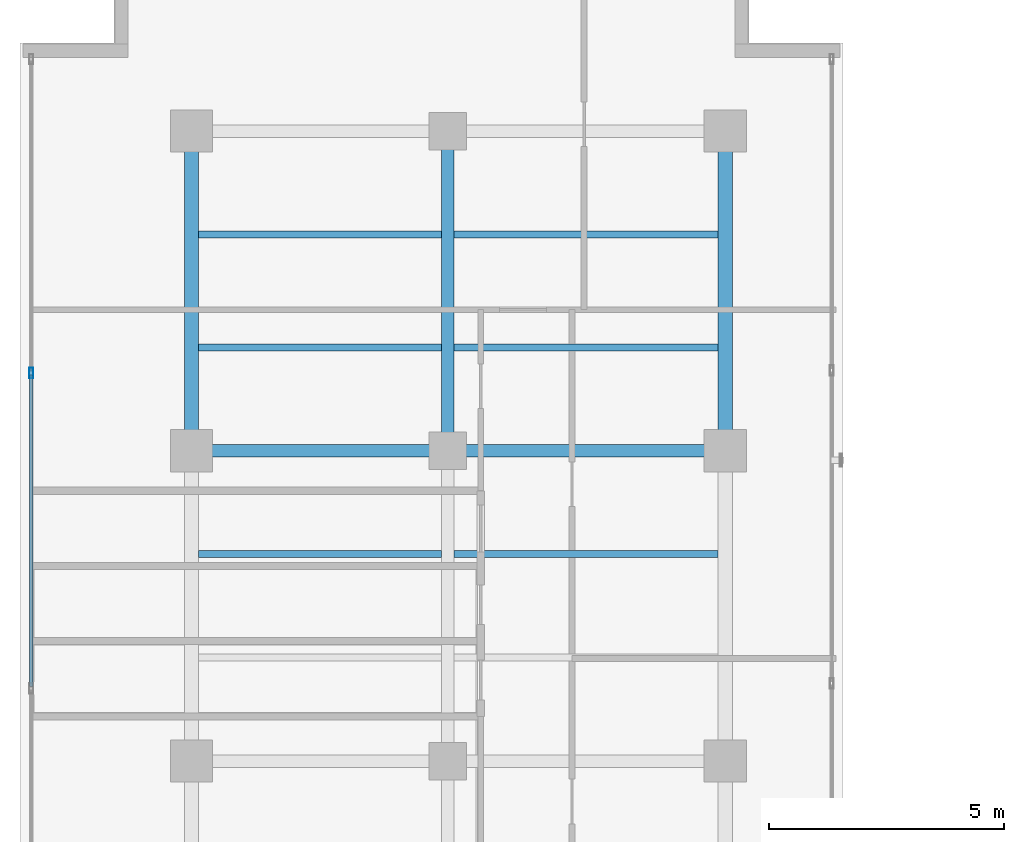
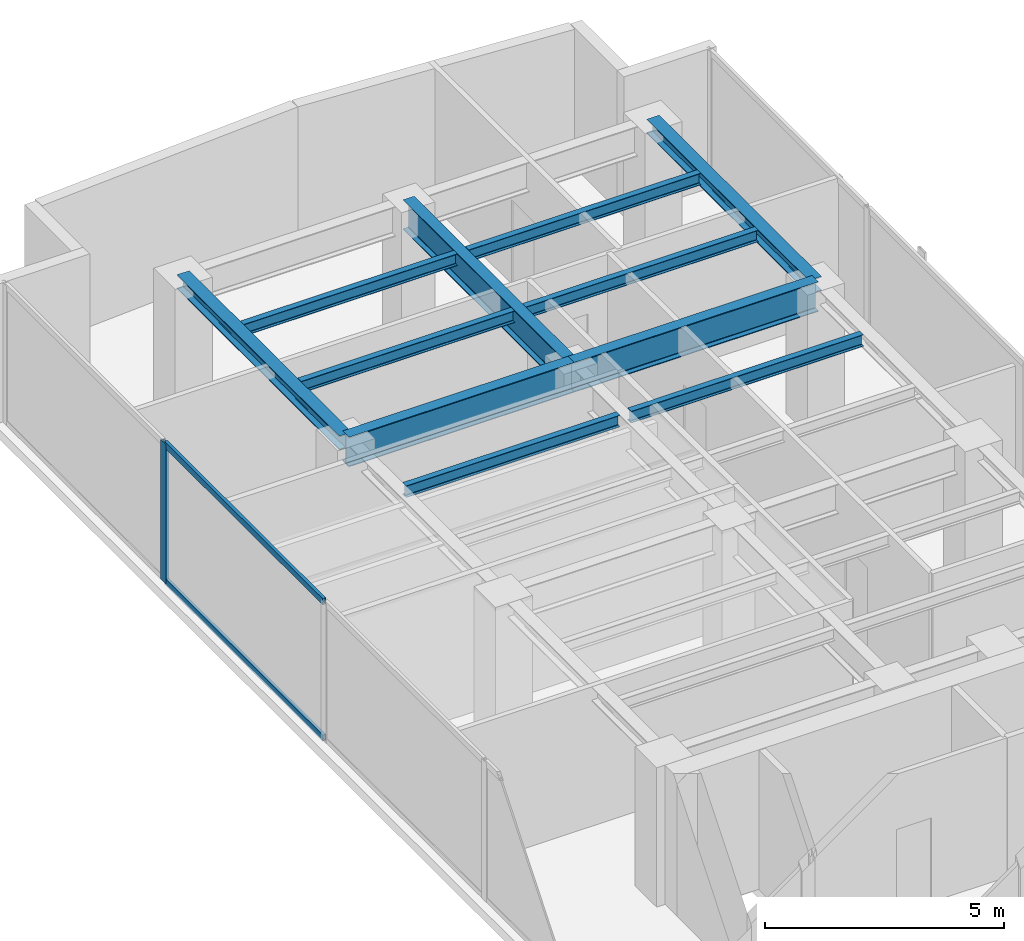
# One storey, part 13 of 23: 11 beams, 3 members, 1 element without a shape of its own.
"""IFC4 building model written with IfcOpenShell, lengths in metres."""

from ifc_helpers import new_model, si_unit, direction, frame, origin, origin_with_axes, origin_2d, place, context, subcontext, project, spatial, hollow_rectangle, i_section, extrude, source, transform, mapped, material, layer, layer_set, material_profile, profile_set, type_object, element, aggregate, save


model = new_model("IFC4")

# Units and contexts
model_context = context("Model", 3, precision=1e-05, world=origin(), true_north=direction((0.0, 1.0)))
body_context = subcontext(model_context, "Body", "Model", "MODEL_VIEW")
ifc_project = project(units=[si_unit("LENGTHUNIT", "METRE"), si_unit("AREAUNIT", "SQUARE_METRE"), si_unit("VOLUMEUNIT", "CUBIC_METRE"), si_unit("PLANEANGLEUNIT", "RADIAN"), si_unit("MASSUNIT", "GRAM", prefix="KILO")], contexts=[model_context])

# Site, building, storey
site_placement = place(None, origin())
site = spatial("IfcSite", under=ifc_project, at=site_placement, CompositionType="ELEMENT")
building_placement = place(site_placement, origin())
building = spatial("IfcBuilding", under=site, at=building_placement, Name="Kolvaren Waterfront Exchange", CompositionType="ELEMENT")
storey_placement = place(building_placement, frame((0.0, 0.0, 297.0)))
storey = spatial("IfcBuildingStorey", under=building, at=storey_placement, Name="L76", CompositionType="ELEMENT", Elevation=297.0)

# Beams
ifc_material_1 = material(Name="Steel S355", Category="steel")
ifc_material_profile_1 = material_profile(ifc_material_1, i_section(OverallWidth=0.300048828125, OverallDepth=0.360107421875, WebThickness=0.012451171875, FlangeThickness=0.0224609375, FilletRadius=0.027099609375, at=origin_2d()), Name="HEB360")
ifc_profile_set_1 = profile_set([ifc_material_profile_1], Name="Steel S355")
beam_type_1 = type_object("IfcBeamType", Name="STR-BM-HEB360", PredefinedType="SPANDREL", material=ifc_profile_set_1)
for number, where, z_axis, x_axis, name in (
    (1, (7.449951171875, 37.800048828125, 3.3798828125), (0.0, 1.0, 0.0), (-1.0, 0.0, 0.0), "L76 north-arm edge beam 3"),
    (2, (18.800048828125, 37.800048828125, 3.3798828125), (0.0, 1.0, 0.0), (-1.0, 0.0, 0.0), "L76 north-arm edge beam 3"),
):
    element("IfcBeam", number, at=place(storey_placement, frame(where, z_axis=z_axis, x_axis=x_axis)), inside=storey, type_object=beam_type_1, Name=name, PredefinedType="SPANDREL", context=body_context, shape_type="SweptSolid", body=[
        extrude(i_section(OverallWidth=0.300048828125, OverallDepth=0.360107421875, WebThickness=0.012451171875, FlangeThickness=0.0224609375, FilletRadius=0.027099609375, at=origin_2d()), origin(), (0.0, 0.0, 1.0), 6.800048828125),
    ])
ifc_material_profile_2 = material_profile(ifc_material_1, i_section(OverallWidth=0.14990234375, OverallDepth=0.300048828125, WebThickness=0.007080078125, FlangeThickness=0.0107421875, FilletRadius=0.014892578125, at=origin_2d()), Name="IPE300")
ifc_profile_set_2 = profile_set([ifc_material_profile_2], Name="Steel S355")
beam_type_2 = type_object("IfcBeamType", Name="STR-BM-IPE300", PredefinedType="JOIST", material=ifc_profile_set_2)
beam_1_placement = place(storey_placement, frame((7.60205078125, 35.60009765625, 3.409912109375), z_axis=(1.0, 0.0, 0.0), x_axis=(0.0, 1.0, 0.0)))
element("IfcBeam", 3, at=beam_1_placement, inside=storey, type_object=beam_type_2, Name="L76 north-arm composite joist 4A", PredefinedType="JOIST", context=body_context, shape_type="SweptSolid", body=[
    extrude(i_section(OverallWidth=0.14990234375, OverallDepth=0.300048828125, WebThickness=0.007080078125, FlangeThickness=0.0107421875, FilletRadius=0.014892578125, at=origin_2d()), origin(), (0.0, 0.0, 1.0), 5.162353515625),
])
beam_2_placement = place(storey_placement, frame((13.035400390625, 35.60009765625, 3.409912109375), z_axis=(1.0, 0.0, 0.0), x_axis=(0.0, 1.0, 0.0)))
element("IfcBeam", 4, at=beam_2_placement, inside=storey, type_object=beam_type_2, Name="L76 north-arm composite joist 4B", PredefinedType="JOIST", context=body_context, shape_type="SweptSolid", body=[
    extrude(i_section(OverallWidth=0.14990234375, OverallDepth=0.300048828125, WebThickness=0.007080078125, FlangeThickness=0.0107421875, FilletRadius=0.014892578125, at=origin_2d()), origin(), (0.0, 0.0, 1.0), 5.612548828125),
])
beam_3_placement = place(storey_placement, frame((7.60205078125, 40.0, 3.409912109375), z_axis=(1.0, 0.0, 0.0), x_axis=(0.0, 1.0, 0.0)))
element("IfcBeam", 5, at=beam_3_placement, inside=storey, type_object=beam_type_2, Name="L76 north-arm composite joist 5A", PredefinedType="JOIST", context=body_context, shape_type="SweptSolid", body=[
    extrude(i_section(OverallWidth=0.14990234375, OverallDepth=0.300048828125, WebThickness=0.007080078125, FlangeThickness=0.0107421875, FilletRadius=0.014892578125, at=origin_2d()), origin(), (0.0, 0.0, 1.0), 5.162353515625),
])
beam_4_placement = place(storey_placement, frame((13.035400390625, 40.0, 3.409912109375), z_axis=(1.0, 0.0, 0.0), x_axis=(0.0, 1.0, 0.0)))
element("IfcBeam", 6, at=beam_4_placement, inside=storey, type_object=beam_type_2, Name="L76 north-arm composite joist 5B", PredefinedType="JOIST", context=body_context, shape_type="SweptSolid", body=[
    extrude(i_section(OverallWidth=0.14990234375, OverallDepth=0.300048828125, WebThickness=0.007080078125, FlangeThickness=0.0107421875, FilletRadius=0.014892578125, at=origin_2d()), origin(), (0.0, 0.0, 1.0), 5.612548828125),
])
beam_5_placement = place(storey_placement, frame((7.60205078125, 42.39990234375, 3.409912109375), z_axis=(1.0, 0.0, 0.0), x_axis=(0.0, 1.0, 0.0)))
element("IfcBeam", 7, at=beam_5_placement, inside=storey, type_object=beam_type_2, Name="L76 north-arm composite joist 6A", PredefinedType="JOIST", context=body_context, shape_type="SweptSolid", body=[
    extrude(i_section(OverallWidth=0.14990234375, OverallDepth=0.300048828125, WebThickness=0.007080078125, FlangeThickness=0.0107421875, FilletRadius=0.014892578125, at=origin_2d()), origin(), (0.0, 0.0, 1.0), 5.162353515625),
])
beam_6_placement = place(storey_placement, frame((13.035400390625, 42.39990234375, 3.409912109375), z_axis=(1.0, 0.0, 0.0), x_axis=(0.0, 1.0, 0.0)))
element("IfcBeam", 8, at=beam_6_placement, inside=storey, type_object=beam_type_2, Name="L76 north-arm composite joist 6B", PredefinedType="JOIST", context=body_context, shape_type="SweptSolid", body=[
    extrude(i_section(OverallWidth=0.14990234375, OverallDepth=0.300048828125, WebThickness=0.007080078125, FlangeThickness=0.0107421875, FilletRadius=0.014892578125, at=origin_2d()), origin(), (0.0, 0.0, 1.0), 5.612548828125),
])
ifc_material_profile_3 = material_profile(ifc_material_1, i_section(OverallWidth=0.26708984375, OverallDepth=0.761962890625, WebThickness=0.014404296875, FlangeThickness=0.021484375, FilletRadius=0.01708984375, at=origin_2d()), Name="IPE750x173")
ifc_profile_set_3 = profile_set([ifc_material_profile_3], Name="Steel S355")
beam_type_3 = type_object("IfcBeamType", Name="STR-BM-IPE750", PredefinedType="BEAM", material=ifc_profile_set_3)
beam_7_placement = place(storey_placement, frame((7.449951171875, 37.800048828125, 3.178955078125), z_axis=(1.0, 0.0, 0.0), x_axis=(0.0, 1.0, 0.0)))
element("IfcBeam", 9, at=beam_7_placement, inside=storey, type_object=beam_type_3, Name="L76 north-arm girder 3A", PredefinedType="BEAM", context=body_context, shape_type="SweptSolid", body=[
    extrude(i_section(OverallWidth=0.26708984375, OverallDepth=0.761962890625, WebThickness=0.014404296875, FlangeThickness=0.021484375, FilletRadius=0.01708984375, at=origin_2d()), origin(), (0.0, 0.0, 1.0), 5.449951171875),
])
beam_8_placement = place(storey_placement, frame((12.89990234375, 37.800048828125, 3.178955078125), z_axis=(1.0, 0.0, 0.0), x_axis=(0.0, 1.0, 0.0)))
element("IfcBeam", 10, at=beam_8_placement, inside=storey, type_object=beam_type_3, Name="L76 north-arm girder 3B", PredefinedType="BEAM", context=body_context, shape_type="SweptSolid", body=[
    extrude(i_section(OverallWidth=0.26708984375, OverallDepth=0.761962890625, WebThickness=0.014404296875, FlangeThickness=0.021484375, FilletRadius=0.01708984375, at=origin_2d()), origin(), (0.0, 0.0, 1.0), 5.900146484375),
])
beam_9_placement = place(storey_placement, frame((12.89990234375, 37.800048828125, 3.178955078125), z_axis=(0.0, 1.0, 0.0), x_axis=(-1.0, 0.0, 0.0)))
element("IfcBeam", 11, at=beam_9_placement, inside=storey, type_object=beam_type_3, Name="L76 north-arm edge beam 3", PredefinedType="BEAM", context=body_context, shape_type="SweptSolid", body=[
    extrude(i_section(OverallWidth=0.26708984375, OverallDepth=0.761962890625, WebThickness=0.014404296875, FlangeThickness=0.021484375, FilletRadius=0.01708984375, at=origin_2d()), origin(), (0.0, 0.0, 1.0), 6.800048828125),
])

# Curtain wall, members
ifc_material_2 = material(Name="Anodised aluminium 6063-T6", Category="aluminium")
ifc_layer = layer(ifc_material_2, 0.219970703125, Name="Anodised aluminium 6063-T6")
ifc_layer_set = layer_set([ifc_layer], Name="Anodised aluminium 6063-T6")
curtain_wall_type = type_object("IfcCurtainWallType", Name="ARC-CW-SYS2", PredefinedType="USERDEFINED", material=ifc_layer_set)
curtain_wall_placement = place(storey_placement, origin())
curtain_wall = element("IfcCurtainWall", 12, at=curtain_wall_placement, inside=storey, type_object=curtain_wall_type, Name="L76 stick curtain wall CW2 (CW-L76-W)", ObjectType="STICK CURTAIN WALL", PredefinedType="USERDEFINED")
ifc_material_profile_4 = material_profile(ifc_material_2, hollow_rectangle(XDim=0.080078125, YDim=0.219970703125, WallThickness=0.0048828125, at=origin_2d()), Name="ALU-MUL-220x80x5")
ifc_profile_set_4 = profile_set([ifc_material_profile_4], Name="Anodised aluminium 6063-T6")
member_type_1 = type_object("IfcMemberType", Name="ARC-CWM-220", PredefinedType="MULLION", material=ifc_profile_set_4)
shared_shape_1 = source(origin_with_axes(), body_context, "Body", "SweptSolid", [
    extrude(hollow_rectangle(XDim=0.080078125, YDim=0.219970703125, WallThickness=0.0048828125, at=origin_2d()), origin(), (0.0, 0.0, 1.0), 3.56005859375),
])
member_1_placement = place(storey_placement, frame((4.0400390625, 39.45703125, 0.0), z_axis=(0.0, 0.0, 1.0), x_axis=(-1.0, 0.0, 0.0)))
member_1 = element("IfcMember", 13, at=member_1_placement, type_object=member_type_1, Name="CW2 mullion 6", PredefinedType="MULLION", context=body_context, shape_type="MappedRepresentation", body=[
    mapped(shared_shape_1, transform((0.0, 0.0, 0.0), x_axis=(1.0, 0.0, 0.0), y_axis=(0.0, 1.0, 0.0), z_axis=(0.0, 0.0, 1.0), scale=1.0)),
])
ifc_material_profile_5 = material_profile(ifc_material_2, hollow_rectangle(XDim=0.074951171875, YDim=0.159912109375, WallThickness=0.00439453125, at=origin_2d()), Name="ALU-TRN-160x75x4.5")
ifc_profile_set_5 = profile_set([ifc_material_profile_5], Name="Anodised aluminium 6063-T6")
member_type_2 = type_object("IfcMemberType", Name="ARC-CWT-160", PredefinedType="USERDEFINED", material=ifc_profile_set_5)
shared_shape_2 = source(origin_with_axes(), body_context, "Body", "SweptSolid", [
    extrude(hollow_rectangle(XDim=0.074951171875, YDim=0.159912109375, WallThickness=0.00439453125, at=origin_2d()), origin(), (0.0, 0.0, 1.0), 6.63134765625),
])
member_2_placement = place(storey_placement, frame((4.0400390625, 32.78564453125, 0.03759765625), z_axis=(0.0, 1.0, 0.0), x_axis=(-1.0, 0.0, 0.0)))
member_2 = element("IfcMember", 14, at=member_2_placement, type_object=member_type_2, Name="CW2 transom 5.1", ObjectType="TRANSOM", PredefinedType="USERDEFINED", context=body_context, shape_type="MappedRepresentation", body=[
    mapped(shared_shape_2, transform((0.0, 0.0, 0.0), x_axis=(1.0, 0.0, 0.0), y_axis=(0.0, 1.0, 0.0), z_axis=(0.0, 0.0, 1.0), scale=1.0)),
])
member_3_placement = place(storey_placement, frame((4.0400390625, 32.78564453125, 3.5224609375), z_axis=(0.0, 1.0, 0.0), x_axis=(-1.0, 0.0, 0.0)))
member_3 = element("IfcMember", 15, at=member_3_placement, type_object=member_type_2, Name="CW2 transom 5.2", ObjectType="TRANSOM", PredefinedType="USERDEFINED", context=body_context, shape_type="MappedRepresentation", body=[
    mapped(shared_shape_2, transform((0.0, 0.0, 0.0), x_axis=(1.0, 0.0, 0.0), y_axis=(0.0, 1.0, 0.0), z_axis=(0.0, 0.0, 1.0), scale=1.0)),
])
aggregate(curtain_wall, [member_1, member_2, member_3])

save(model, "model.ifc")
